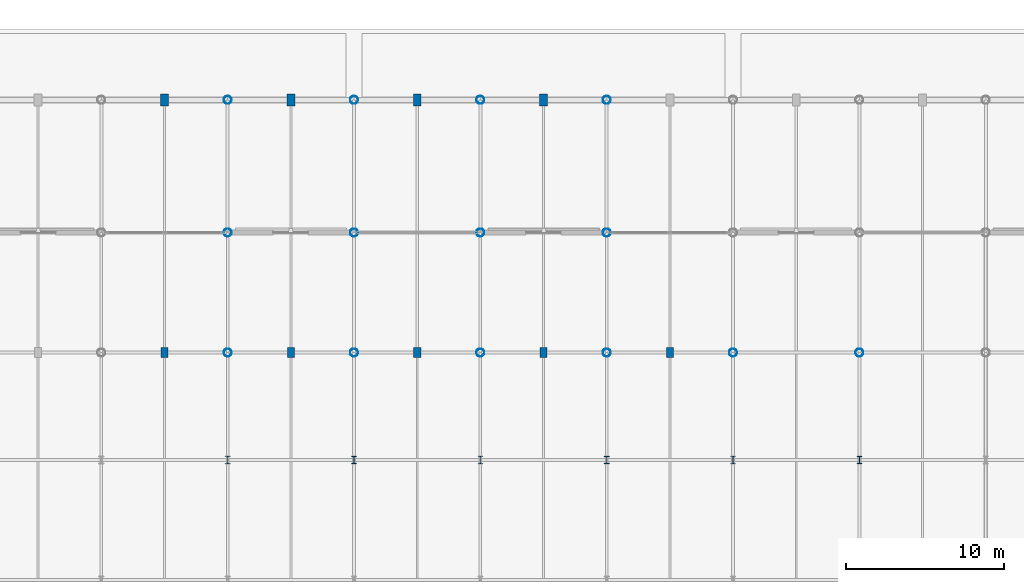
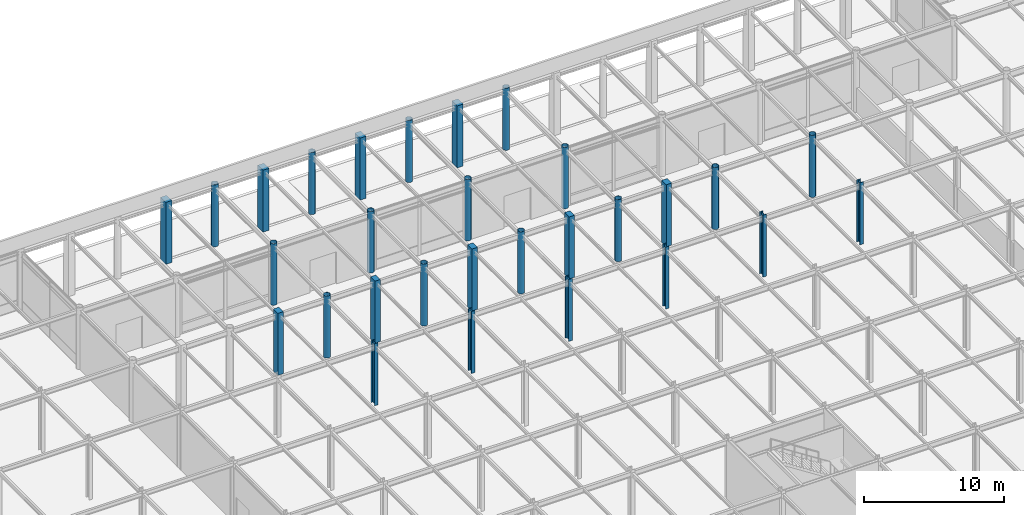
# One storey, part 15 of 89: 29 columns.
"""IFC4 building model written with IfcOpenShell, lengths in metres."""

from ifc_helpers import new_model, si_unit, direction, frame, origin, origin_2d, place, context, subcontext, project, spatial, rectangle, hollow_circle, i_section, extrude, material, material_profile, profile_set, type_object, element, save


model = new_model("IFC4")

# Units and contexts
model_context = context("Model", 3, precision=1e-05, world=origin(), true_north=direction((0.0, 1.0)))
body_context = subcontext(model_context, "Body", "Model", "MODEL_VIEW")
ifc_project = project(units=[si_unit("LENGTHUNIT", "METRE"), si_unit("AREAUNIT", "SQUARE_METRE"), si_unit("VOLUMEUNIT", "CUBIC_METRE"), si_unit("PLANEANGLEUNIT", "RADIAN"), si_unit("MASSUNIT", "GRAM", prefix="KILO")], contexts=[model_context])

# Site, building, storey
site_placement = place(None, origin())
site = spatial("IfcSite", under=ifc_project, at=site_placement, CompositionType="ELEMENT")
building_placement = place(site_placement, origin())
building = spatial("IfcBuilding", under=site, at=building_placement, Name="Shalkamar Park Central Library", CompositionType="ELEMENT")
storey_placement = place(building_placement, origin())
storey = spatial("IfcBuildingStorey", under=building, at=storey_placement, Name="L01", CompositionType="ELEMENT", Elevation=0.0)

# Columns
ifc_material_1 = material(Name="Steel S355", Category="steel")
ifc_material_profile_1 = material_profile(ifc_material_1, i_section(OverallWidth=0.300048828125, OverallDepth=0.449951171875, WebThickness=0.013916015625, FlangeThickness=0.02587890625, FilletRadius=0.027099609375, at=origin_2d()), Name="HEB 450")
ifc_profile_set_1 = profile_set([ifc_material_profile_1], Name="Steel S355")
column_type_1 = type_object("IfcColumnType", Name="Column Steel HEB450", PredefinedType="COLUMN", material=ifc_profile_set_1)
for number, where, z_axis, x_axis, name in (
    (1, (189.0, 331.199951171875, 0.0), (0.0, 0.0, 1.0), (1.0, 0.0, 0.0), "Column 10/N (L01)"),
    (2, (205.0, 331.199951171875, 0.0), (0.0, 0.0, 1.0), (1.0, 0.0, 0.0), "Column 12/N (L01)"),
    (3, (221.0, 331.199951171875, 0.0), (0.0, 0.0, 1.0), (1.0, 0.0, 0.0), "Column 14/N (L01)"),
):
    element("IfcColumn", number, at=place(storey_placement, frame(where, z_axis=z_axis, x_axis=x_axis)), inside=storey, type_object=column_type_1, Name=name, PredefinedType="COLUMN", context=body_context, shape_type="SweptSolid", body=[
        extrude(i_section(OverallWidth=0.300048828125, OverallDepth=0.449951171875, WebThickness=0.013916015625, FlangeThickness=0.02587890625, FilletRadius=0.027099609375, at=origin_2d()), origin(), (0.0, 0.0, 1.0), 5.39990234375),
    ])
ifc_material_profile_2 = material_profile(ifc_material_1, i_section(OverallWidth=0.300048828125, OverallDepth=0.5, WebThickness=0.014404296875, FlangeThickness=0.028076171875, FilletRadius=0.027099609375, at=origin_2d()), Name="HEB 500")
ifc_profile_set_2 = profile_set([ifc_material_profile_2], Name="Steel S355")
column_type_2 = type_object("IfcColumnType", Name="Column Steel HEB500", PredefinedType="COLUMN", material=ifc_profile_set_2)
for number, where, z_axis, x_axis, name in (
    (4, (181.0, 331.199951171875, 0.0), (0.0, 0.0, 1.0), (1.0, 0.0, 0.0), "Column 09/N (L01)"),
    (5, (197.0, 331.199951171875, 0.0), (0.0, 0.0, 1.0), (1.0, 0.0, 0.0), "Column 11/N (L01)"),
    (6, (213.0, 331.199951171875, 0.0), (0.0, 0.0, 1.0), (1.0, 0.0, 0.0), "Column 13/N (L01)"),
):
    element("IfcColumn", number, at=place(storey_placement, frame(where, z_axis=z_axis, x_axis=x_axis)), inside=storey, type_object=column_type_2, Name=name, PredefinedType="COLUMN", context=body_context, shape_type="SweptSolid", body=[
        extrude(i_section(OverallWidth=0.300048828125, OverallDepth=0.5, WebThickness=0.014404296875, FlangeThickness=0.028076171875, FilletRadius=0.027099609375, at=origin_2d()), origin(), (0.0, 0.0, 1.0), 5.39990234375),
    ])
ifc_material_profile_3 = material_profile(ifc_material_1, hollow_circle(Radius=0.25390625, WallThickness=0.01611328125, at=origin_2d()), Name="CHS 508x16")
ifc_profile_set_3 = profile_set([ifc_material_profile_3], Name="Steel S355")
column_type_3 = type_object("IfcColumnType", Name="Column Tube CHS508", PredefinedType="COLUMN", material=ifc_profile_set_3)
column_1_placement = place(storey_placement, frame((181.0, 338.0, 0.0), z_axis=(0.0, 0.0, 1.0), x_axis=(1.0, 0.0, 0.0)))
element("IfcColumn", 7, at=column_1_placement, inside=storey, type_object=column_type_3, Name="Column 09/P (L01)", PredefinedType="COLUMN", context=body_context, shape_type="SweptSolid", body=[
    extrude(hollow_circle(Radius=0.25390625, WallThickness=0.01611328125, at=origin_2d()), origin(), (0.0, 0.0, 1.0), 5.39990234375),
])
column_2_placement = place(storey_placement, frame((181.0, 345.60009765625, 0.0), z_axis=(0.0, 0.0, 1.0), x_axis=(1.0, 0.0, 0.0)))
element("IfcColumn", 8, at=column_2_placement, inside=storey, type_object=column_type_3, Name="Column 09/Q (L01)", PredefinedType="COLUMN", context=body_context, shape_type="SweptSolid", body=[
    extrude(hollow_circle(Radius=0.25390625, WallThickness=0.01611328125, at=origin_2d()), origin(), (0.0, 0.0, 1.0), 5.35009765625),
])
for number, where, z_axis, x_axis, name in (
    (9, (181.0, 354.0, 0.0), (0.0, 0.0, 1.0), (1.0, 0.0, 0.0), "Column 09/R (L01)"),
    (10, (189.0, 338.0, 0.0), (0.0, 0.0, 1.0), (1.0, 0.0, 0.0), "Column 10/P (L01)"),
):
    element("IfcColumn", number, at=place(storey_placement, frame(where, z_axis=z_axis, x_axis=x_axis)), inside=storey, type_object=column_type_3, Name=name, PredefinedType="COLUMN", context=body_context, shape_type="SweptSolid", body=[
        extrude(hollow_circle(Radius=0.25390625, WallThickness=0.01611328125, at=origin_2d()), origin(), (0.0, 0.0, 1.0), 5.39990234375),
    ])
column_3_placement = place(storey_placement, frame((189.0, 345.60009765625, 0.0), z_axis=(0.0, 0.0, 1.0), x_axis=(1.0, 0.0, 0.0)))
element("IfcColumn", 11, at=column_3_placement, inside=storey, type_object=column_type_3, Name="Column 10/Q (L01)", PredefinedType="COLUMN", context=body_context, shape_type="SweptSolid", body=[
    extrude(hollow_circle(Radius=0.25390625, WallThickness=0.01611328125, at=origin_2d()), origin(), (0.0, 0.0, 1.0), 5.35009765625),
])
for number, where, z_axis, x_axis, name in (
    (12, (189.0, 354.0, 0.0), (0.0, 0.0, 1.0), (1.0, 0.0, 0.0), "Column 10/R (L01)"),
    (13, (197.0, 338.0, 0.0), (0.0, 0.0, 1.0), (1.0, 0.0, 0.0), "Column 11/P (L01)"),
):
    element("IfcColumn", number, at=place(storey_placement, frame(where, z_axis=z_axis, x_axis=x_axis)), inside=storey, type_object=column_type_3, Name=name, PredefinedType="COLUMN", context=body_context, shape_type="SweptSolid", body=[
        extrude(hollow_circle(Radius=0.25390625, WallThickness=0.01611328125, at=origin_2d()), origin(), (0.0, 0.0, 1.0), 5.39990234375),
    ])
column_4_placement = place(storey_placement, frame((197.0, 345.60009765625, 0.0), z_axis=(0.0, 0.0, 1.0), x_axis=(1.0, 0.0, 0.0)))
element("IfcColumn", 14, at=column_4_placement, inside=storey, type_object=column_type_3, Name="Column 11/Q (L01)", PredefinedType="COLUMN", context=body_context, shape_type="SweptSolid", body=[
    extrude(hollow_circle(Radius=0.25390625, WallThickness=0.01611328125, at=origin_2d()), origin(), (0.0, 0.0, 1.0), 5.35009765625),
])
for number, where, z_axis, x_axis, name in (
    (15, (197.0, 354.0, 0.0), (0.0, 0.0, 1.0), (1.0, 0.0, 0.0), "Column 11/R (L01)"),
    (16, (205.0, 338.0, 0.0), (0.0, 0.0, 1.0), (1.0, 0.0, 0.0), "Column 12/P (L01)"),
):
    element("IfcColumn", number, at=place(storey_placement, frame(where, z_axis=z_axis, x_axis=x_axis)), inside=storey, type_object=column_type_3, Name=name, PredefinedType="COLUMN", context=body_context, shape_type="SweptSolid", body=[
        extrude(hollow_circle(Radius=0.25390625, WallThickness=0.01611328125, at=origin_2d()), origin(), (0.0, 0.0, 1.0), 5.39990234375),
    ])
column_5_placement = place(storey_placement, frame((205.0, 345.60009765625, 0.0), z_axis=(0.0, 0.0, 1.0), x_axis=(1.0, 0.0, 0.0)))
element("IfcColumn", 17, at=column_5_placement, inside=storey, type_object=column_type_3, Name="Column 12/Q (L01)", PredefinedType="COLUMN", context=body_context, shape_type="SweptSolid", body=[
    extrude(hollow_circle(Radius=0.25390625, WallThickness=0.01611328125, at=origin_2d()), origin(), (0.0, 0.0, 1.0), 5.35009765625),
])
for number, where, z_axis, x_axis, name in (
    (18, (205.0, 354.0, 0.0), (0.0, 0.0, 1.0), (1.0, 0.0, 0.0), "Column 12/R (L01)"),
    (19, (213.0, 338.0, 0.0), (0.0, 0.0, 1.0), (1.0, 0.0, 0.0), "Column 13/P (L01)"),
    (20, (221.0, 338.0, 0.0), (0.0, 0.0, 1.0), (1.0, 0.0, 0.0), "Column 14/P (L01)"),
):
    element("IfcColumn", number, at=place(storey_placement, frame(where, z_axis=z_axis, x_axis=x_axis)), inside=storey, type_object=column_type_3, Name=name, PredefinedType="COLUMN", context=body_context, shape_type="SweptSolid", body=[
        extrude(hollow_circle(Radius=0.25390625, WallThickness=0.01611328125, at=origin_2d()), origin(), (0.0, 0.0, 1.0), 5.39990234375),
    ])
ifc_material_2 = material(Name="Concrete C40/50", Category="concrete")
ifc_material_profile_4 = material_profile(ifc_material_2, rectangle(XDim=0.449951171875, YDim=0.64990234375, at=origin_2d()), Name="RC 450x650")
ifc_profile_set_4 = profile_set([ifc_material_profile_4], Name="Concrete C40/50")
column_type_4 = type_object("IfcColumnType", Name="Engaged Pilaster RC450x650", PredefinedType="PILASTER", material=ifc_profile_set_4)
for number, where, z_axis, x_axis, name in (
    (21, (177.0, 338.0, 0.0), (0.0, 0.0, 1.0), (1.0, 0.0, 0.0), "Terrace Facade Pilaster P-07 (L01)"),
    (22, (185.0, 338.0, 0.0), (0.0, 0.0, 1.0), (1.0, 0.0, 0.0), "Terrace Facade Pilaster P-08 (L01)"),
    (23, (193.0, 338.0, 0.0), (0.0, 0.0, 1.0), (1.0, 0.0, 0.0), "Terrace Facade Pilaster P-09 (L01)"),
    (24, (201.0, 338.0, 0.0), (0.0, 0.0, 1.0), (1.0, 0.0, 0.0), "Terrace Facade Pilaster P-10 (L01)"),
    (25, (209.0, 338.0, 0.0), (0.0, 0.0, 1.0), (1.0, 0.0, 0.0), "Terrace Facade Pilaster P-11 (L01)"),
):
    element("IfcColumn", number, at=place(storey_placement, frame(where, z_axis=z_axis, x_axis=x_axis)), inside=storey, type_object=column_type_4, Name=name, PredefinedType="PILASTER", context=body_context, shape_type="SweptSolid", body=[
        extrude(rectangle(XDim=0.449951171875, YDim=0.64990234375, at=origin_2d()), origin(), (0.0, 0.0, 1.0), 5.39990234375),
    ])
ifc_material_profile_5 = material_profile(ifc_material_2, rectangle(XDim=0.5, YDim=0.75, at=origin_2d()), Name="RC 500x750")
ifc_profile_set_5 = profile_set([ifc_material_profile_5], Name="Concrete C40/50")
column_type_5 = type_object("IfcColumnType", Name="Engaged Pilaster RC500x750", PredefinedType="PILASTER", material=ifc_profile_set_5)
for number, where, z_axis, x_axis, name in (
    (26, (177.0, 354.0, 0.0), (0.0, 0.0, 1.0), (1.0, 0.0, 0.0), "Park Proscenium Pilaster R-07 (L01)"),
    (27, (185.0, 354.0, 0.0), (0.0, 0.0, 1.0), (1.0, 0.0, 0.0), "Park Proscenium Pilaster R-08 (L01)"),
    (28, (193.0, 354.0, 0.0), (0.0, 0.0, 1.0), (1.0, 0.0, 0.0), "Park Proscenium Pilaster R-09 (L01)"),
    (29, (201.0, 354.0, 0.0), (0.0, 0.0, 1.0), (1.0, 0.0, 0.0), "Park Proscenium Pilaster R-10 (L01)"),
):
    element("IfcColumn", number, at=place(storey_placement, frame(where, z_axis=z_axis, x_axis=x_axis)), inside=storey, type_object=column_type_5, Name=name, PredefinedType="PILASTER", context=body_context, shape_type="SweptSolid", body=[
        extrude(rectangle(XDim=0.5, YDim=0.75, at=origin_2d()), origin(), (0.0, 0.0, 1.0), 5.39990234375),
    ])

save(model, "model.ifc")
